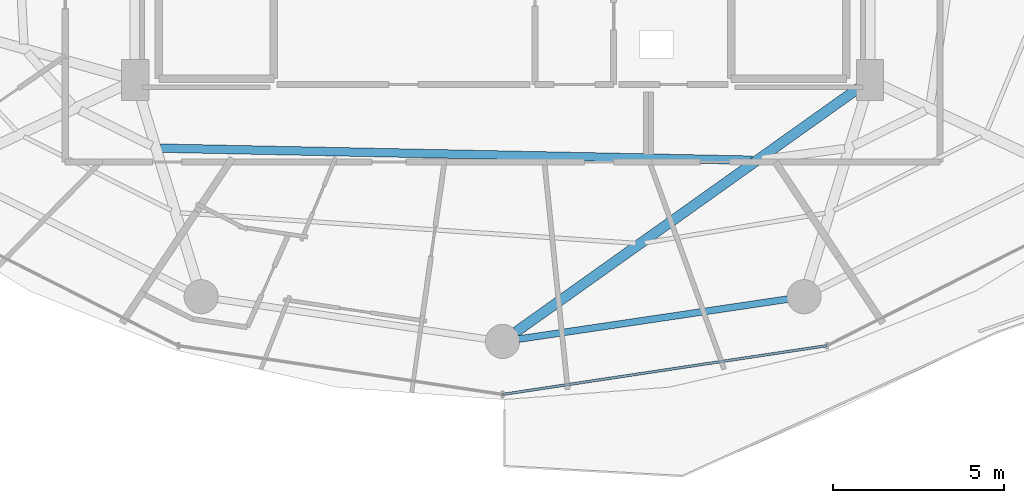
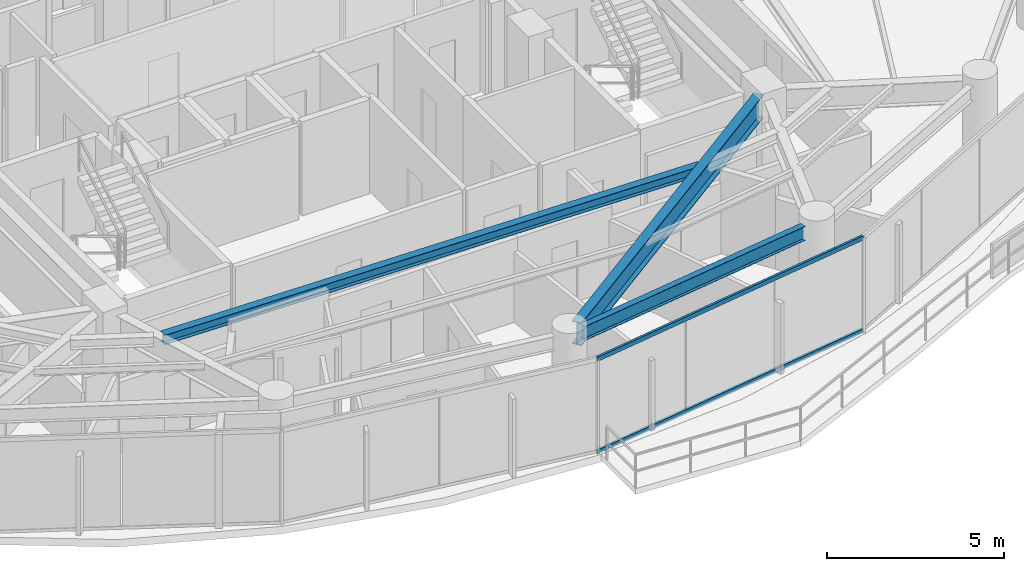
# One storey, part 6 of 29: 3 beams, 2 members, 1 element without a shape of its own.
"""IFC4 building model written with IfcOpenShell, lengths in metres."""

from ifc_helpers import new_model, si_unit, direction, frame, origin, origin_2d, place, context, subcontext, project, spatial, hollow_rectangle, i_section, extrude, material, material_profile, profile_set, type_object, element, aggregate, save


model = new_model("IFC4")

# Units and contexts
model_context = context("Model", 3, precision=1e-05, world=origin(), true_north=direction((0.0, 1.0)))
body_context = subcontext(model_context, "Body", "Model", "MODEL_VIEW")
ifc_project = project(units=[si_unit("LENGTHUNIT", "METRE"), si_unit("AREAUNIT", "SQUARE_METRE"), si_unit("VOLUMEUNIT", "CUBIC_METRE"), si_unit("PLANEANGLEUNIT", "RADIAN"), si_unit("MASSUNIT", "GRAM", prefix="KILO")], contexts=[model_context])

# Site, building, storey
site_placement = place(None, origin())
site = spatial("IfcSite", under=ifc_project, at=site_placement, CompositionType="ELEMENT")
building_placement = place(site_placement, origin())
building = spatial("IfcBuilding", under=site, at=building_placement, Name="Vorneva Point Tower", CompositionType="ELEMENT")
storey_placement = place(building_placement, frame((0.0, 0.0, 150.10009765625)))
storey = spatial("IfcBuildingStorey", under=building, at=storey_placement, Name="L40", CompositionType="ELEMENT", Elevation=150.10009765625)

# Beams
ifc_material_1 = material(Name="Steel S355", Category="steel")
ifc_material_profile_1 = material_profile(ifc_material_1, i_section(OverallWidth=0.300048828125, OverallDepth=0.7880859375, WebThickness=0.014404296875, FlangeThickness=0.02197265625, at=origin_2d()), Name="80Sh1")
ifc_profile_set_1 = profile_set([ifc_material_profile_1], Name="Steel S355")
beam_type_1 = type_object("IfcBeamType", Name="BM-GRD-80Sh1", PredefinedType="USERDEFINED", material=ifc_profile_set_1)
beam_1_placement = place(storey_placement, frame((38.397705078125, 9.0830078125, 2.845947265625), z_axis=(0.814751382529, 0.579810473057, 0.0), x_axis=(-0.579810473057, 0.814751382529, 0.0)))
element("IfcBeam", 1, at=beam_1_placement, inside=storey, type_object=beam_type_1, Name="L40 Radial Primary Girder 13", ObjectType="GIRDER", PredefinedType="USERDEFINED", context=body_context, shape_type="SweptSolid", body=[
    extrude(i_section(OverallWidth=0.300048828125, OverallDepth=0.7880859375, WebThickness=0.014404296875, FlangeThickness=0.02197265625, at=origin_2d()), origin(), (0.0, 0.0, 1.0), 12.365966796875),
])
ifc_material_profile_2 = material_profile(ifc_material_1, i_section(OverallWidth=0.2490234375, OverallDepth=0.333984375, WebThickness=0.008056640625, FlangeThickness=0.010986328125, at=origin_2d()), Name="35Sh1")
ifc_profile_set_2 = profile_set([ifc_material_profile_2], Name="Steel S355")
beam_type_2 = type_object("IfcBeamType", Name="BM-SEC-35Sh1", PredefinedType="BEAM", material=ifc_profile_set_2)
beam_2_placement = place(storey_placement, frame((27.993408203125, 14.457275390625, 3.072998046875), z_axis=(0.999792890829, -0.020351300897, 0.0), x_axis=(0.020351300897, 0.999792890829, 0.0)))
element("IfcBeam", 2, at=beam_2_placement, inside=storey, type_object=beam_type_2, Name="L40 Secondary Floor Beam 2.12", PredefinedType="BEAM", context=body_context, shape_type="SweptSolid", body=[
    extrude(i_section(OverallWidth=0.2490234375, OverallDepth=0.333984375, WebThickness=0.008056640625, FlangeThickness=0.010986328125, at=origin_2d()), origin(), (0.0, 0.0, 1.0), 17.32275390625),
])
ifc_material_profile_3 = material_profile(ifc_material_1, i_section(OverallWidth=0.199951171875, OverallDepth=0.491943359375, WebThickness=0.0087890625, FlangeThickness=0.011962890625, at=origin_2d()), Name="50B1")
ifc_profile_set_3 = profile_set([ifc_material_profile_3], Name="Steel S355")
beam_type_3 = type_object("IfcBeamType", Name="BM-SPN-50B1", PredefinedType="SPANDREL", material=ifc_profile_set_3)
beam_3_placement = place(storey_placement, frame((38.479736328125, 8.87109375, 2.993896484375), z_axis=(0.989161199046, 0.146833655211, 0.0), x_axis=(-0.146833655211, 0.989161199046, 0.0)))
element("IfcBeam", 3, at=beam_3_placement, inside=storey, type_object=beam_type_3, Name="L40 Perimeter Spandrel Ring Beam 13", PredefinedType="SPANDREL", context=body_context, shape_type="SweptSolid", body=[
    extrude(i_section(OverallWidth=0.199951171875, OverallDepth=0.491943359375, WebThickness=0.0087890625, FlangeThickness=0.011962890625, at=origin_2d()), origin(), (0.0, 0.0, 1.0), 7.94775390625),
])

# Curtain wall, members
ifc_material_2 = material(Name="Pale anodised aluminium", Category="aluminium")
curtain_wall_type = type_object("IfcCurtainWallType", Name="CW-RES-SYS", PredefinedType="NOTDEFINED", material=ifc_material_2)
curtain_wall_placement = place(storey_placement, origin())
curtain_wall = element("IfcCurtainWall", 4, at=curtain_wall_placement, inside=storey, type_object=curtain_wall_type, Name="L40 Unitised Curtain Wall CW-L40-R04", PredefinedType="NOTDEFINED")
ifc_material_profile_4 = material_profile(ifc_material_2, hollow_rectangle(XDim=0.074951171875, YDim=0.14990234375, WallThickness=0.00390625, at=origin_2d()), Name="AL-TRN 150x75x4")
ifc_profile_set_4 = profile_set([ifc_material_profile_4], Name="Pale anodised aluminium")
member_type = type_object("IfcMemberType", Name="CW-TRN-150", PredefinedType="USERDEFINED", material=ifc_profile_set_4)
member_1_placement = place(storey_placement, frame((38.0, 7.25, 0.02001953125), z_axis=(0.988880117727, 0.148714870687, 0.0), x_axis=(-0.148714870687, 0.988880117727, 0.0)))
member_1 = element("IfcMember", 5, at=member_1_placement, type_object=member_type, Name="CW-L40-R04 Transom 03.1", ObjectType="TRANSOM", PredefinedType="USERDEFINED", context=body_context, shape_type="SweptSolid", body=[
    extrude(hollow_rectangle(XDim=0.074951171875, YDim=0.14990234375, WallThickness=0.00390625, at=origin_2d()), origin(), (0.0, 0.0, 1.0), 9.59716796875),
])
member_2_placement = place(storey_placement, frame((38.0, 7.25, 3.219970703125), z_axis=(0.988880117727, 0.148714870687, 0.0), x_axis=(-0.148714870687, 0.988880117727, 0.0)))
member_2 = element("IfcMember", 6, at=member_2_placement, type_object=member_type, Name="CW-L40-R04 Transom 03.2", ObjectType="TRANSOM", PredefinedType="USERDEFINED", context=body_context, shape_type="SweptSolid", body=[
    extrude(hollow_rectangle(XDim=0.074951171875, YDim=0.14990234375, WallThickness=0.00390625, at=origin_2d()), origin(), (0.0, 0.0, 1.0), 9.59716796875),
])
aggregate(curtain_wall, [member_1, member_2])

save(model, "model.ifc")
